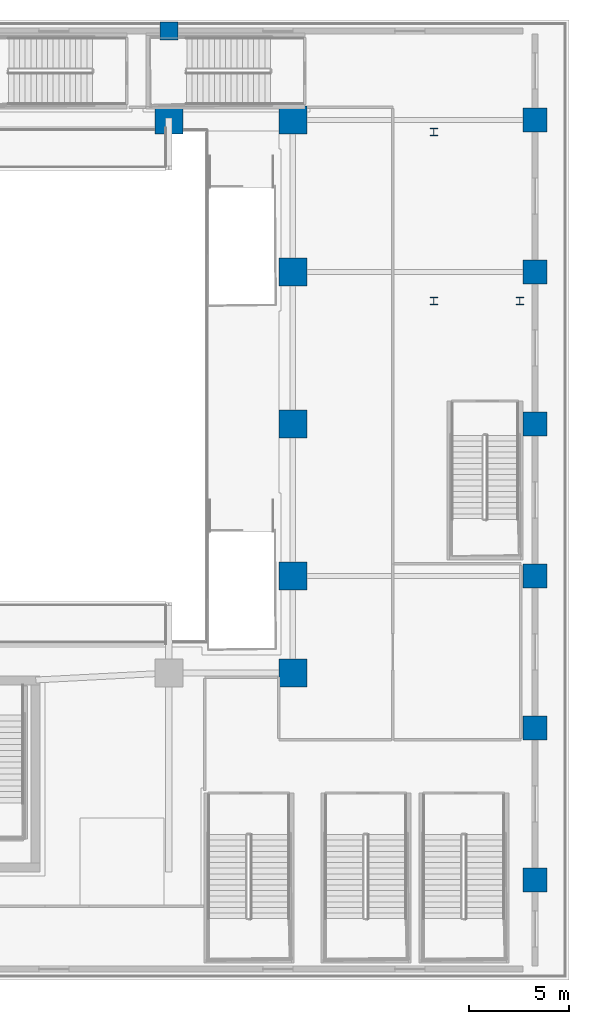
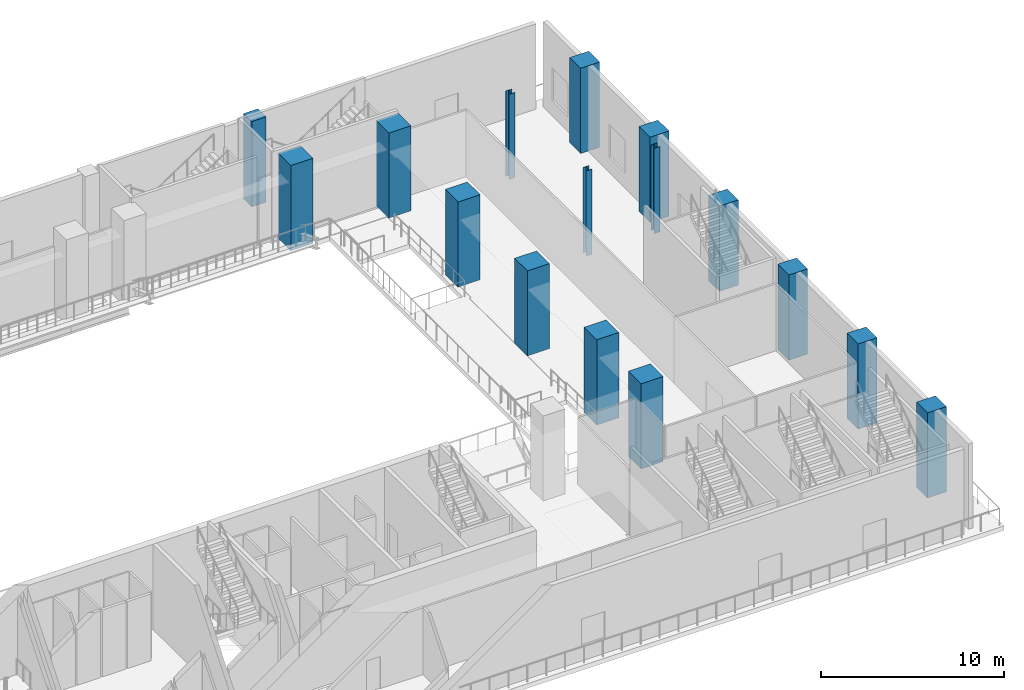
# One storey, part 4 of 28: 16 columns.
"""IFC4 building model written with IfcOpenShell, lengths in metres."""

from ifc_helpers import new_model, si_unit, direction, frame, origin, origin_2d, place, context, subcontext, project, spatial, rectangle, i_section, extrude, material, material_profile, profile_set, type_object, element, save


model = new_model("IFC4")

# Units and contexts
model_context = context("Model", 3, precision=1e-05, world=origin(), true_north=direction((0.0, 1.0)))
body_context = subcontext(model_context, "Body", "Model", "MODEL_VIEW")
ifc_project = project(units=[si_unit("LENGTHUNIT", "METRE"), si_unit("AREAUNIT", "SQUARE_METRE"), si_unit("VOLUMEUNIT", "CUBIC_METRE"), si_unit("PLANEANGLEUNIT", "RADIAN"), si_unit("MASSUNIT", "GRAM", prefix="KILO")], contexts=[model_context])

# Site, building, storey
site_placement = place(None, origin())
site = spatial("IfcSite", under=ifc_project, at=site_placement, CompositionType="ELEMENT")
building_placement = place(site_placement, origin())
building = spatial("IfcBuilding", under=site, at=building_placement, Name="Ndaravel Arena Tower", CompositionType="ELEMENT")
storey_placement = place(building_placement, frame((0.0, 0.0, 18.0)))
storey = spatial("IfcBuildingStorey", under=building, at=storey_placement, Name="L03", CompositionType="ELEMENT", Elevation=18.0)

# Columns
ifc_material_1 = material(Name="Concrete C40/50", Category="concrete")
ifc_material_profile_1 = material_profile(ifc_material_1, rectangle(XDim=0.89990234375, YDim=0.89990234375, at=origin_2d()), Name="RC 900x900")
ifc_profile_set_1 = profile_set([ifc_material_profile_1], Name="Concrete C40/50")
column_type_1 = type_object("IfcColumnType", Name="COL-BSMT-RC900", PredefinedType="COLUMN", material=ifc_profile_set_1)
column_placement = place(storey_placement, frame((64.0, 47.449951171875, 0.0), z_axis=(0.0, 0.0, 1.0), x_axis=(1.0, 0.0, 0.0)))
element("IfcColumn", 1, at=column_placement, inside=storey, type_object=column_type_1, Name="L03 North Concourse Column 5", PredefinedType="COLUMN", context=body_context, shape_type="SweptSolid", body=[
    extrude(rectangle(XDim=0.89990234375, YDim=0.89990234375, at=origin_2d()), origin(), (0.0, 0.0, 1.0), 5.699951171875),
])
ifc_material_2 = material(Name="Steel S355", Category="steel")
ifc_material_profile_2 = material_profile(ifc_material_2, i_section(OverallWidth=0.374755859375, OverallDepth=0.37451171875, WebThickness=0.0166015625, FlangeThickness=0.027099609375, FilletRadius=0.01513671875, at=origin_2d()), Name="UC 356x368x202")
ifc_profile_set_2 = profile_set([ifc_material_profile_2], Name="Steel S355")
column_type_2 = type_object("IfcColumnType", Name="COL-CRN-UC202", PredefinedType="COLUMN", material=ifc_profile_set_2)
for number, where, z_axis, x_axis, name in (
    (2, (77.25, 33.949951171875, 0.0), (0.0, 0.0, 1.0), (1.0, 0.0, 0.0), "L03 Garden Stair ST-GDN-2 Pier 1.1"),
    (3, (77.25, 42.39990234375, 0.0), (0.0, 0.0, 1.0), (1.0, 0.0, 0.0), "L03 Garden Stair ST-GDN-2 Pier 1.2"),
    (4, (81.550048828125, 33.949951171875, 0.0), (0.0, 0.0, 1.0), (1.0, 0.0, 0.0), "L03 Garden Stair ST-GDN-2 Pier 2.1"),
):
    element("IfcColumn", number, at=place(storey_placement, frame(where, z_axis=z_axis, x_axis=x_axis)), inside=storey, type_object=column_type_2, Name=name, PredefinedType="COLUMN", context=body_context, shape_type="SweptSolid", body=[
        extrude(i_section(OverallWidth=0.374755859375, OverallDepth=0.37451171875, WebThickness=0.0166015625, FlangeThickness=0.027099609375, FilletRadius=0.01513671875, at=origin_2d()), origin(), (0.0, 0.0, 1.0), 5.699951171875),
    ])
ifc_material_3 = material(Name="Concrete C60/75", Category="concrete")
ifc_material_profile_3 = material_profile(ifc_material_3, rectangle(XDim=1.199951171875, YDim=1.199951171875, at=origin_2d()), Name="RC 1200x1200")
ifc_profile_set_3 = profile_set([ifc_material_profile_3], Name="Concrete C60/75")
column_type_3 = type_object("IfcColumnType", Name="COL-MEGA-RC1200", PredefinedType="COLUMN", material=ifc_profile_set_3)
for number, where, z_axis, x_axis, name in (
    (5, (82.300048828125, 5.0, 0.0), (0.0, 0.0, 1.0), (1.0, 0.0, 0.0), "L03 Perimeter Mega Column 07"),
    (6, (82.300048828125, 12.60009765625, 0.0), (0.0, 0.0, 1.0), (1.0, 0.0, 0.0), "L03 Perimeter Mega Column 08"),
    (7, (82.300048828125, 20.199951171875, 0.0), (0.0, 0.0, 1.0), (1.0, 0.0, 0.0), "L03 Perimeter Mega Column 09"),
    (8, (82.300048828125, 27.800048828125, 0.0), (0.0, 0.0, 1.0), (1.0, 0.0, 0.0), "L03 Perimeter Mega Column 10"),
    (9, (82.300048828125, 35.39990234375, 0.0), (0.0, 0.0, 1.0), (1.0, 0.0, 0.0), "L03 Perimeter Mega Column 11"),
    (10, (82.300048828125, 43.0, 0.0), (0.0, 0.0, 1.0), (1.0, 0.0, 0.0), "L03 Perimeter Mega Column 12"),
):
    element("IfcColumn", number, at=place(storey_placement, frame(where, z_axis=z_axis, x_axis=x_axis)), inside=storey, type_object=column_type_3, Name=name, PredefinedType="COLUMN", context=body_context, shape_type="SweptSolid", body=[
        extrude(rectangle(XDim=1.199951171875, YDim=1.199951171875, at=origin_2d()), origin(), (0.0, 0.0, 1.0), 5.699951171875),
    ])
ifc_material_4 = material(Name="Concrete C60/75", Category="concrete")
ifc_material_profile_4 = material_profile(ifc_material_4, rectangle(XDim=1.39990234375, YDim=1.39990234375, at=origin_2d()), Name="RC 1400x1400")
ifc_profile_set_4 = profile_set([ifc_material_profile_4], Name="Concrete C60/75")
column_type_4 = type_object("IfcColumnType", Name="COL-MEGA-RC1400", PredefinedType="COLUMN", material=ifc_profile_set_4)
for number, where, z_axis, x_axis, name in (
    (11, (70.199951171875, 15.35009765625, 0.0), (0.0, 0.0, 1.0), (1.0, 0.0, 0.0), "L03 Arena Ring Mega Column 06"),
    (12, (70.199951171875, 20.199951171875, 0.0), (0.0, 0.0, 1.0), (1.0, 0.0, 0.0), "L03 Arena Ring Mega Column 07"),
    (13, (70.199951171875, 27.800048828125, 0.0), (0.0, 0.0, 1.0), (1.0, 0.0, 0.0), "L03 Arena Ring Mega Column 08"),
    (14, (70.199951171875, 35.39990234375, 0.0), (0.0, 0.0, 1.0), (1.0, 0.0, 0.0), "L03 Arena Ring Mega Column 09"),
    (15, (70.199951171875, 43.0, 0.0), (0.0, 0.0, 1.0), (1.0, 0.0, 0.0), "L03 Arena Ring Mega Column 10"),
    (16, (64.0, 43.0, 0.0), (0.0, 0.0, 1.0), (1.0, 0.0, 0.0), "L03 Arena Ring Mega Column 19"),
):
    element("IfcColumn", number, at=place(storey_placement, frame(where, z_axis=z_axis, x_axis=x_axis)), inside=storey, type_object=column_type_4, Name=name, PredefinedType="COLUMN", context=body_context, shape_type="SweptSolid", body=[
        extrude(rectangle(XDim=1.39990234375, YDim=1.39990234375, at=origin_2d()), origin(), (0.0, 0.0, 1.0), 5.699951171875),
    ])

save(model, "model.ifc")
